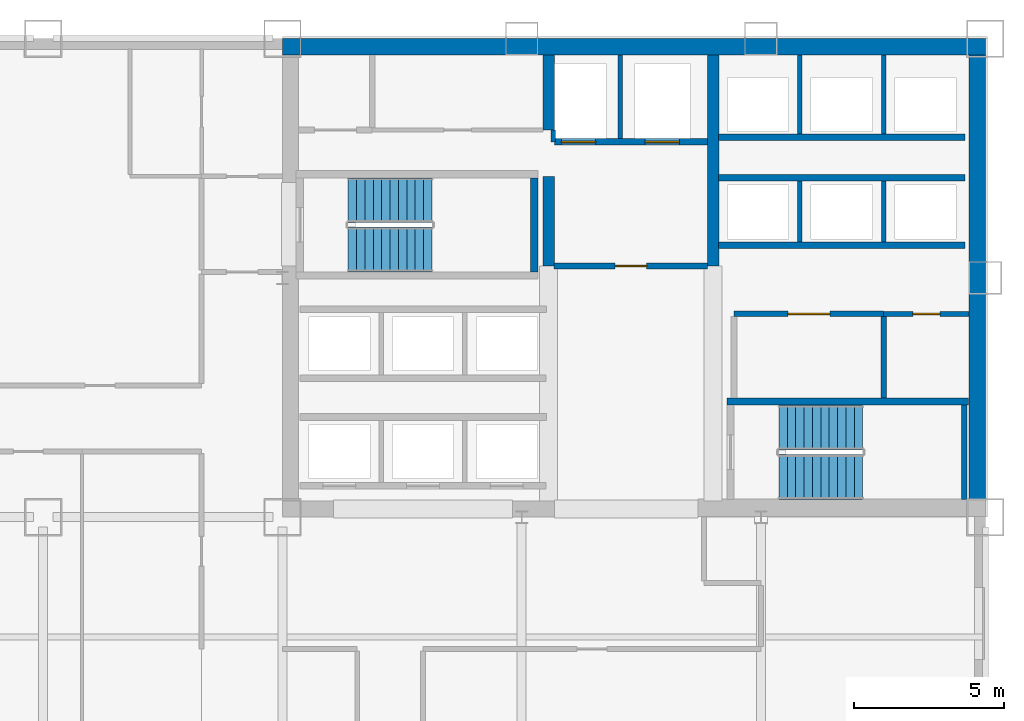
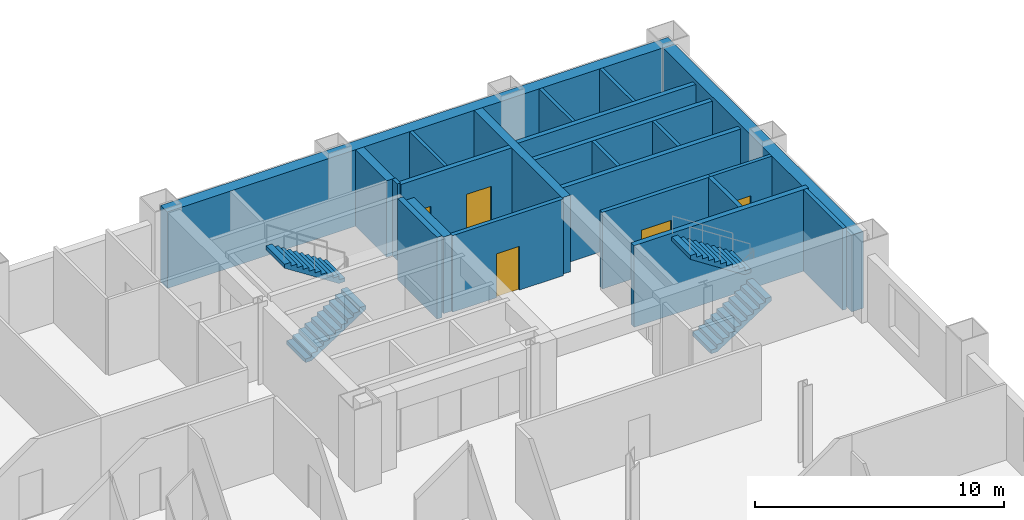
# One storey, part 7 of 9: 22 walls, 5 doors, 4 stair flights, 5 openings, 2 elements without a shape of their own.
"""IFC4 building model written with IfcOpenShell, lengths in metres."""

from ifc_helpers import new_model, si_unit, direction, frame, frame_2d, origin, place, context, subcontext, project, spatial, polyline, rectangle, outline, extrude, material, layer, layer_set, type_object, element, fill, aggregate, save


model = new_model("IFC4")

# Units and contexts
model_context = context("Model", 3, precision=1e-05, world=origin(), true_north=direction((0.0, 1.0)))
body_context = subcontext(model_context, "Body", "Model", "MODEL_VIEW")
ifc_project = project(units=[si_unit("LENGTHUNIT", "METRE"), si_unit("AREAUNIT", "SQUARE_METRE"), si_unit("VOLUMEUNIT", "CUBIC_METRE"), si_unit("PLANEANGLEUNIT", "RADIAN"), si_unit("MASSUNIT", "GRAM", prefix="KILO")], contexts=[model_context])

# Site, building, storey
site_placement = place(None, origin())
site = spatial("IfcSite", under=ifc_project, at=site_placement, CompositionType="ELEMENT")
building_placement = place(site_placement, origin())
building = spatial("IfcBuilding", under=site, at=building_placement, Name="Qianrong Seaharbour Tower", CompositionType="ELEMENT")
storey_placement = place(building_placement, frame((0.0, 0.0, 96.199951171875)))
storey = spatial("IfcBuildingStorey", under=building, at=storey_placement, Name="L23", CompositionType="ELEMENT", Elevation=96.199951171875)

# Walls
ifc_material_1 = material(Name="Concrete C70/85", Category="concrete")
ifc_layer_1 = layer(ifc_material_1, 0.5400390625)
ifc_layer_set_1 = layer_set([ifc_layer_1], Name="Concrete C70/85")
wall_type_1 = type_object("IfcWallType", Name="WALL-CORE-540", PredefinedType="SHEAR", material=ifc_layer_set_1)
wall_1_placement = place(storey_placement, frame((40.5, 51.72998046875, 0.0), z_axis=(0.0, 0.0, 1.0), x_axis=(1.0, 0.0, 0.0)))
element("IfcWall", 1, at=wall_1_placement, inside=storey, type_object=wall_type_1, Name="L23 North Core Shear Wall", PredefinedType="SHEAR", context=body_context, shape_type="SweptSolid", body=[
    extrude(rectangle(XDim=23.5, YDim=0.5400390625, at=frame_2d((11.75, 0.0))), origin(), (0.0, 0.0, 1.0), 3.75),
])
wall_2_placement = place(storey_placement, frame((63.72998046875, 36.320068359375, 0.0), z_axis=(0.0, 0.0, 1.0), x_axis=(0.0, 1.0, 0.0)))
element("IfcWall", 2, at=wall_2_placement, inside=storey, type_object=wall_type_1, Name="L23 East Core Shear Wall", PredefinedType="SHEAR", context=body_context, shape_type="SweptSolid", body=[
    extrude(rectangle(XDim=15.139892578125, YDim=0.5400390625, at=frame_2d((7.56982421875, 0.0))), origin(), (0.0, 0.0, 1.0), 3.75),
])
ifc_material_2 = material(Name="Concrete C60/75", Category="concrete")
ifc_layer_2 = layer(ifc_material_2, 0.3798828125)
ifc_layer_set_2 = layer_set([ifc_layer_2], Name="Concrete C60/75")
wall_type_2 = type_object("IfcWallType", Name="WALL-CORE-INT-380", PredefinedType="SHEAR", material=ifc_layer_set_2)
wall_3_placement = place(storey_placement, frame((49.39990234375, 44.39990234375, 0.0), z_axis=(0.0, 0.0, 1.0), x_axis=(0.0, 1.0, 0.0)))
element("IfcWall", 3, at=wall_3_placement, inside=storey, type_object=wall_type_2, Name="L23 Internal Core Shear Wall IW1N1", PredefinedType="SHEAR", context=body_context, shape_type="SweptSolid", body=[
    extrude(rectangle(XDim=3.0, YDim=0.3798828125, at=frame_2d((1.5, 0.0))), origin(), (0.0, 0.0, 1.0), 3.75),
])
wall_4_placement = place(storey_placement, frame((49.39990234375, 48.949951171875, 0.0), z_axis=(0.0, 0.0, 1.0), x_axis=(0.0, 1.0, 0.0)))
element("IfcWall", 4, at=wall_4_placement, inside=storey, type_object=wall_type_2, Name="L23 Internal Core Shear Wall IW1N2", PredefinedType="SHEAR", context=body_context, shape_type="SweptSolid", body=[
    extrude(rectangle(XDim=2.510009765625, YDim=0.3798828125, at=frame_2d((1.2548828125, 0.0))), origin(), (0.0, 0.0, 1.0), 3.75),
])
wall_5_placement = place(storey_placement, frame((54.89990234375, 44.39990234375, 0.0), z_axis=(0.0, 0.0, 1.0), x_axis=(0.0, 1.0, 0.0)))
element("IfcWall", 5, at=wall_5_placement, inside=storey, type_object=wall_type_2, Name="L23 Internal Core Shear Wall IW2N", PredefinedType="SHEAR", context=body_context, shape_type="SweptSolid", body=[
    extrude(rectangle(XDim=7.06005859375, YDim=0.3798828125, at=frame_2d((3.530029296875, 0.0))), origin(), (0.0, 0.0, 1.0), 3.75),
])

# Wall, opening, door
ifc_material_3 = material(Name="Fire-rated acoustic gypsum board partition")
ifc_layer_3 = layer(ifc_material_3, 0.1650390625)
ifc_layer_set_3 = layer_set([ifc_layer_3], Name="Fire-rated acoustic gypsum board partition")
wall_type_3 = type_object("IfcWallType", Name="WALL-CORR-PART-165", PredefinedType="PARTITIONING", material=ifc_layer_set_3)
wall_6_placement = place(storey_placement, frame((63.4599609375, 42.800048828125, 0.0), z_axis=(0.0, 0.0, 1.0), x_axis=(-1.0, 0.0, 0.0)))
wall_6 = element("IfcWall", 6, at=wall_6_placement, inside=storey, type_object=wall_type_3, Name="L23 Interior Partition Wall 012", PredefinedType="PARTITIONING", context=body_context, shape_type="SweptSolid", body=[
    extrude(rectangle(XDim=2.85986328125, YDim=0.1650390625, at=frame_2d((1.429931640625, 0.0))), origin(), (0.0, 0.0, 1.0), 3.75),
])
opening_1_placement = place(wall_6_placement, frame((0.97998046875, 0.0, 0.0)))
opening_1 = element("IfcOpeningElement", 7, at=opening_1_placement, cuts=wall_6, Name="Opening DS-01", PredefinedType="OPENING", context=body_context, shape_type="SweptSolid", body=[
    extrude(rectangle(XDim=0.89990234375, YDim=2.14990234375, at=frame_2d((0.449951171875, 1.074951171875))), frame((0.0, 0.092529296875, 0.0), z_axis=(0.0, -1.0, 0.0), x_axis=(1.0, 0.0, 0.0)), (0.0, 0.0, 1.0), 0.18505859375),
])
ifc_material_4 = material(Name="Acoustic timber and galvanized steel fire door assembly", Category="steel")
door_type_1 = type_object("IfcDoorType", Name="DOOR-STORE-900x2150", OperationType="NOTDEFINED", PredefinedType="DOOR", material=ifc_material_4)
door_1_placement = place(opening_1_placement, origin())
door_1 = element("IfcDoor", 8, at=door_1_placement, inside=storey, type_object=door_type_1, Name="L23 Housekeeping Linen Store Door", OperationType="SINGLE_SWING_LEFT", OverallHeight=2.14990234375, OverallWidth=0.89990234375, PredefinedType="DOOR", context=body_context, shape_type="SweptSolid", body=[
    extrude(rectangle(XDim=0.89990234375, YDim=2.14990234375, at=frame_2d((0.449951171875, 1.074951171875))), frame((0.0, 0.02490234375, 0.0), z_axis=(0.0, -1.0, 0.0), x_axis=(1.0, 0.0, 0.0)), (0.0, 0.0, 1.0), 0.050048828125),
])
fill(opening_1, door_1)

ifc_material_5 = material(Name="Double fire-rated gypsum board acoustic partition")
ifc_layer_4 = layer(ifc_material_5, 0.18994140625)
ifc_layer_set_4 = layer_set([ifc_layer_4], Name="Double fire-rated gypsum board acoustic partition")
wall_type_4 = type_object("IfcWallType", Name="WALL-FIRE-PART-190", PredefinedType="PARTITIONING", material=ifc_layer_set_4)
wall_7_placement = place(storey_placement, frame((54.718017578125, 44.39990234375, 0.0), z_axis=(0.0, 0.0, 1.0), x_axis=(-1.0, 0.0, 0.0)))
wall_7 = element("IfcWall", 9, at=wall_7_placement, inside=storey, type_object=wall_type_4, Name="L23 Interior Partition Wall 009", PredefinedType="PARTITIONING", context=body_context, shape_type="SweptSolid", body=[
    extrude(rectangle(XDim=5.135986328125, YDim=0.18994140625, at=frame_2d((2.56787109375, 0.0))), origin(), (0.0, 0.0, 1.0), 3.75),
])
opening_2_placement = place(wall_7_placement, frame((2.04296875, 0.0, 0.0)))
opening_2 = element("IfcOpeningElement", 10, at=opening_2_placement, cuts=wall_7, Name="Opening DC-01", PredefinedType="OPENING", context=body_context, shape_type="SweptSolid", body=[
    extrude(rectangle(XDim=1.050048828125, YDim=2.14990234375, at=frame_2d((0.52490234375, 1.074951171875))), frame((0.0, 0.10498046875, 0.0), z_axis=(0.0, -1.0, 0.0), x_axis=(1.0, 0.0, 0.0)), (0.0, 0.0, 1.0), 0.2099609375),
])
door_type_2 = type_object("IfcDoorType", Name="DOOR-CORR-FD60-1050x2150", OperationType="NOTDEFINED", PredefinedType="DOOR", material=ifc_material_4)
door_2_placement = place(opening_2_placement, origin())
door_2 = element("IfcDoor", 11, at=door_2_placement, inside=storey, type_object=door_type_2, Name="L23 Firefighting Lift Lobby Door", OperationType="SINGLE_SWING_LEFT", OverallHeight=2.14990234375, OverallWidth=1.050048828125, PredefinedType="DOOR", context=body_context, shape_type="SweptSolid", body=[
    extrude(rectangle(XDim=1.050048828125, YDim=2.14990234375, at=frame_2d((0.52490234375, 1.074951171875))), frame((0.0, 0.02490234375, 0.0), z_axis=(0.0, -1.0, 0.0), x_axis=(1.0, 0.0, 0.0)), (0.0, 0.0, 1.0), 0.050048828125),
])
fill(opening_2, door_2)

wall_8_placement = place(storey_placement, frame((60.60009765625, 42.800048828125, 0.0), z_axis=(0.0, 0.0, 1.0), x_axis=(-1.0, 0.0, 0.0)))
wall_8 = element("IfcWall", 12, at=wall_8_placement, inside=storey, type_object=wall_type_4, Name="L23 Interior Partition Wall 011", PredefinedType="PARTITIONING", context=body_context, shape_type="SweptSolid", body=[
    extrude(rectangle(XDim=5.0, YDim=0.18994140625, at=frame_2d((2.5, 0.0))), origin(), (0.0, 0.0, 1.0), 3.75),
])
opening_3_placement = place(wall_8_placement, frame((1.800048828125, 0.0, 0.0)))
opening_3 = element("IfcOpeningElement", 13, at=opening_3_placement, cuts=wall_8, Name="Opening DP-01", PredefinedType="OPENING", context=body_context, shape_type="SweptSolid", body=[
    extrude(rectangle(XDim=1.39990234375, YDim=2.25, at=frame_2d((0.699951171875, 1.125))), frame((0.0, 0.10498046875, 0.0), z_axis=(0.0, -1.0, 0.0), x_axis=(1.0, 0.0, 0.0)), (0.0, 0.0, 1.0), 0.2099609375),
])
door_type_3 = type_object("IfcDoorType", Name="DOOR-PLANT-PAIR-1400x2250", OperationType="DOUBLE_DOOR_SINGLE_SWING", PredefinedType="DOOR", material=ifc_material_4)
door_3_placement = place(opening_3_placement, origin())
door_3 = element("IfcDoor", 14, at=door_3_placement, inside=storey, type_object=door_type_3, Name="L23 Submetering Switch Room Door", OperationType="DOUBLE_DOOR_SINGLE_SWING", OverallHeight=2.25, OverallWidth=1.39990234375, PredefinedType="DOOR", context=body_context, shape_type="SweptSolid", body=[
    extrude(rectangle(XDim=1.39990234375, YDim=2.25, at=frame_2d((0.699951171875, 1.125))), frame((0.0, 0.02490234375, 0.0), z_axis=(0.0, -1.0, 0.0), x_axis=(1.0, 0.0, 0.0)), (0.0, 0.0, 1.0), 0.050048828125),
])
fill(opening_3, door_3)

# Walls
wall_9_placement = place(storey_placement, frame((60.60009765625, 42.712890625, 0.0), z_axis=(0.0, 0.0, 1.0), x_axis=(0.0, -1.0, 0.0)))
element("IfcWall", 15, at=wall_9_placement, inside=storey, type_object=wall_type_4, Name="L23 Interior Partition Wall 014", PredefinedType="PARTITIONING", context=body_context, shape_type="SweptSolid", body=[
    extrude(rectangle(XDim=2.73095703125, YDim=0.18994140625, at=frame_2d((1.365478515625, 0.0))), origin(), (0.0, 0.0, 1.0), 3.75),
])
ifc_material_6 = material(Name="Fire-rated gypsum board on steel studs", Category="steel")
ifc_layer_5 = layer(ifc_material_6, 0.14990234375)
ifc_layer_set_5 = layer_set([ifc_layer_5], Name="Fire-rated gypsum board on steel studs")
wall_type_5 = type_object("IfcWallType", Name="WALL-SHAFT-DIV-150", PredefinedType="PARTITIONING", material=ifc_layer_set_5)
wall_10_placement = place(storey_placement, frame((51.800048828125, 48.669921875, 0.0), z_axis=(0.0, 0.0, 1.0), x_axis=(0.0, 1.0, 0.0)))
element("IfcWall", 16, at=wall_10_placement, inside=storey, type_object=wall_type_5, Name="L23 Firefighting Lift Shaft Divider Wall", PredefinedType="PARTITIONING", context=body_context, shape_type="SweptSolid", body=[
    extrude(rectangle(XDim=2.7900390625, YDim=0.14990234375, at=frame_2d((1.39501953125, 0.0))), origin(), (0.0, 0.0, 1.0), 3.75),
])
wall_11_placement = place(storey_placement, frame((49.550048828125, 48.550048828125, 0.0), z_axis=(0.0, 0.0, 1.0), x_axis=(0.0, 1.0, 0.0)))
element("IfcWall", 17, at=wall_11_placement, inside=storey, type_object=wall_type_5, Name="L23 Firefighting Lift Shaft West Return Wall", PredefinedType="PARTITIONING", context=body_context, shape_type="SweptSolid", body=[
    extrude(rectangle(XDim=0.39990234375, YDim=0.14990234375, at=frame_2d((0.199951171875, 0.0))), origin(), (0.0, 0.0, 1.0), 3.75),
])
for number, where, z_axis, x_axis, name in (
    (18, (57.800048828125, 45.2099609375, 0.0), (0.0, 0.0, 1.0), (0.0, 1.0, 0.0), "L23 P3 Lift Hoistway Divider 2"),
    (19, (60.60009765625, 45.2099609375, 0.0), (0.0, 0.0, 1.0), (0.0, 1.0, 0.0), "L23 P3 Lift Hoistway Divider 3"),
):
    element("IfcWall", number, at=place(storey_placement, frame(where, z_axis=z_axis, x_axis=x_axis)), inside=storey, type_object=wall_type_5, Name=name, PredefinedType="PARTITIONING", context=body_context, shape_type="SweptSolid", body=[
        extrude(rectangle(XDim=2.030029296875, YDim=0.14990234375, at=frame_2d((1.01513671875, 0.0))), origin(), (0.0, 0.0, 1.0), 3.75),
    ])
for number, where, z_axis, x_axis, name in (
    (20, (57.800048828125, 48.81005859375, 0.0), (0.0, 0.0, 1.0), (0.0, 1.0, 0.0), "L23 P4 Lift Hoistway Divider 2"),
    (21, (60.60009765625, 48.81005859375, 0.0), (0.0, 0.0, 1.0), (0.0, 1.0, 0.0), "L23 P4 Lift Hoistway Divider 3"),
):
    element("IfcWall", number, at=place(storey_placement, frame(where, z_axis=z_axis, x_axis=x_axis)), inside=storey, type_object=wall_type_5, Name=name, PredefinedType="PARTITIONING", context=body_context, shape_type="SweptSolid", body=[
        extrude(rectangle(XDim=2.64990234375, YDim=0.14990234375, at=frame_2d((1.324951171875, 0.0))), origin(), (0.0, 0.0, 1.0), 3.75),
    ])

# Wall, openings, doors
ifc_layer_6 = layer(ifc_material_6, 0.219970703125)
ifc_layer_set_6 = layer_set([ifc_layer_6], Name="Fire-rated gypsum board on steel studs")
wall_type_6 = type_object("IfcWallType", Name="WALL-SHAFT-GYP220", PredefinedType="PARTITIONING", material=ifc_layer_set_6)
wall_12_placement = place(storey_placement, frame((54.7099609375, 48.550048828125, 0.0), z_axis=(0.0, 0.0, 1.0), x_axis=(-1.0, 0.0, 0.0)))
wall_12 = element("IfcWall", 22, at=wall_12_placement, inside=storey, type_object=wall_type_6, Name="L23 Firefighting Lift Shaft Front Wall", PredefinedType="PARTITIONING", context=body_context, shape_type="SweptSolid", body=[
    extrude(rectangle(XDim=5.119873046875, YDim=0.219970703125, at=frame_2d((2.56005859375, 0.0))), origin(), (0.0, 0.0, 1.0), 3.75),
])
opening_4_placement = place(wall_12_placement, frame((3.735107421875, 0.0, 0.0)))
opening_4 = element("IfcOpeningElement", 23, at=opening_4_placement, cuts=wall_12, Name="Opening LD-01", PredefinedType="OPENING", context=body_context, shape_type="SweptSolid", body=[
    extrude(rectangle(XDim=1.14990234375, YDim=2.199951171875, at=frame_2d((0.574951171875, 1.10009765625))), frame((0.0, 0.1201171875, 0.0), z_axis=(0.0, -1.0, 0.0), x_axis=(1.0, 0.0, 0.0)), (0.0, 0.0, 1.0), 0.239990234375),
])
opening_5_placement = place(wall_12_placement, frame((0.93505859375, 0.0, 0.0)))
opening_5 = element("IfcOpeningElement", 24, at=opening_5_placement, cuts=wall_12, Name="Opening LD-01", PredefinedType="OPENING", context=body_context, shape_type="SweptSolid", body=[
    extrude(rectangle(XDim=1.14990234375, YDim=2.199951171875, at=frame_2d((0.574951171875, 1.10009765625))), frame((0.0, 0.1201171875, 0.0), z_axis=(0.0, -1.0, 0.0), x_axis=(1.0, 0.0, 0.0)), (0.0, 0.0, 1.0), 0.239990234375),
])
ifc_material_7 = material(Name="Stainless steel SUS316L bi-parting lift landing door", Category="steel")
door_type_4 = type_object("IfcDoorType", Name="DOOR-LIFT-FF-1150x2200", OperationType="DOUBLE_DOOR_SLIDING", PredefinedType="DOOR", material=ifc_material_7)
door_4_placement = place(opening_4_placement, origin())
door_4 = element("IfcDoor", 25, at=door_4_placement, inside=storey, type_object=door_type_4, Name="L23 FL-1 Firefighting Lift Landing Door", OperationType="DOUBLE_DOOR_SLIDING", OverallHeight=2.199951171875, OverallWidth=1.14990234375, PredefinedType="DOOR", context=body_context, shape_type="SweptSolid", body=[
    extrude(rectangle(XDim=1.14990234375, YDim=2.199951171875, at=frame_2d((0.574951171875, 1.10009765625))), frame((0.0, 0.02490234375, 0.0), z_axis=(0.0, -1.0, 0.0), x_axis=(1.0, 0.0, 0.0)), (0.0, 0.0, 1.0), 0.050048828125),
])
fill(opening_4, door_4)
door_5_placement = place(opening_5_placement, origin())
door_5 = element("IfcDoor", 26, at=door_5_placement, inside=storey, type_object=door_type_4, Name="L23 FL-2 Firefighting Lift Landing Door", OperationType="DOUBLE_DOOR_SLIDING", OverallHeight=2.199951171875, OverallWidth=1.14990234375, PredefinedType="DOOR", context=body_context, shape_type="SweptSolid", body=[
    extrude(rectangle(XDim=1.14990234375, YDim=2.199951171875, at=frame_2d((0.574951171875, 1.10009765625))), frame((0.0, 0.02490234375, 0.0), z_axis=(0.0, -1.0, 0.0), x_axis=(1.0, 0.0, 0.0)), (0.0, 0.0, 1.0), 0.050048828125),
])
fill(opening_5, door_5)

# Walls
for number, where, z_axis, x_axis, name in (
    (27, (63.320068359375, 45.10009765625, 0.0), (0.0, 0.0, 1.0), (-1.0, 0.0, 0.0), "L23 P3 Lift Hoistway Front Wall"),
    (28, (55.080078125, 47.35009765625, 0.0), (0.0, 0.0, 1.0), (1.0, 0.0, 0.0), "L23 P3 Lift Hoistway Back Wall"),
    (29, (63.320068359375, 48.699951171875, 0.0), (0.0, 0.0, 1.0), (-1.0, 0.0, 0.0), "L23 P4 Lift Hoistway Front Wall"),
):
    element("IfcWall", number, at=place(storey_placement, frame(where, z_axis=z_axis, x_axis=x_axis)), inside=storey, type_object=wall_type_6, Name=name, PredefinedType="PARTITIONING", context=body_context, shape_type="SweptSolid", body=[
        extrude(rectangle(XDim=8.239990234375, YDim=0.219970703125, at=frame_2d((4.1201171875, 0.0))), origin(), (0.0, 0.0, 1.0), 3.75),
    ])
ifc_material_8 = material(Name="Concrete C50/60", Category="concrete")
ifc_layer_7 = layer(ifc_material_8, 0.239990234375)
ifc_layer_set_7 = layer_set([ifc_layer_7], Name="Concrete C50/60")
wall_type_7 = type_object("IfcWallType", Name="WALL-SHAFT-RC240", PredefinedType="SOLIDWALL", material=ifc_layer_set_7)
wall_13_placement = place(storey_placement, frame((48.919921875, 44.199951171875, 0.0), z_axis=(0.0, 0.0, 1.0), x_axis=(0.0, 1.0, 0.0)))
element("IfcWall", 30, at=wall_13_placement, inside=storey, type_object=wall_type_7, Name="L23 ST-1 Structural Stair Core Wall E", PredefinedType="SOLIDWALL", context=body_context, shape_type="SweptSolid", body=[
    extrude(rectangle(XDim=3.150146484375, YDim=0.239990234375, at=frame_2d((1.5751953125, 0.0))), origin(), (0.0, 0.0, 1.0), 4.0),
])
wall_14_placement = place(storey_placement, frame((55.360107421875, 39.8701171875, 0.0), z_axis=(0.0, 0.0, 1.0), x_axis=(1.0, 0.0, 0.0)))
element("IfcWall", 31, at=wall_14_placement, inside=storey, type_object=wall_type_7, Name="L23 ST-2 Structural Stair Core Wall N", PredefinedType="SOLIDWALL", context=body_context, shape_type="SweptSolid", body=[
    extrude(rectangle(XDim=8.079833984375, YDim=0.239990234375, at=frame_2d((4.0400390625, 0.0))), origin(), (0.0, 0.0, 1.0), 4.0),
])
wall_15_placement = place(storey_placement, frame((63.2900390625, 36.60009765625, 0.0), z_axis=(0.0, 0.0, 1.0), x_axis=(0.0, 1.0, 0.0)))
element("IfcWall", 32, at=wall_15_placement, inside=storey, type_object=wall_type_7, Name="L23 ST-2 Structural Stair Core Wall E", PredefinedType="SOLIDWALL", context=body_context, shape_type="SweptSolid", body=[
    extrude(rectangle(XDim=3.14990234375, YDim=0.179931640625, at=frame_2d((1.574951171875, 0.0))), origin(), (0.0, 0.0, 1.0), 4.0),
])

# Stair, stair flights
stair_type = type_object("IfcStairType", Name="STAIR-DOGLEG-1500-R22", PredefinedType="HALF_TURN_STAIR", material=ifc_material_8)
stair_1_placement = place(storey_placement, origin())
stair_1 = element("IfcStair", 33, at=stair_1_placement, inside=storey, type_object=stair_type, Name="L23 Protected Escape Stair ST-1", PredefinedType="HALF_TURN_STAIR")
stair_flight_type = type_object("IfcStairFlightType", Name="FLIGHT-STR-1500-R22", PredefinedType="STRAIGHT", material=ifc_material_8)
stair_flight_1_placement = place(storey_placement, frame((42.699951171875, 44.949951171875, 0.0), z_axis=(0.0, 0.0, 1.0), x_axis=(1.0, 0.0, 0.0)))
stair_flight_1 = element("IfcStairFlight", 34, at=stair_flight_1_placement, type_object=stair_flight_type, Name="ST-1 flight 1", NumberOfRisers=11, NumberOfTreads=10, PredefinedType="STRAIGHT", RiserHeight=0.181818182, TreadLength=0.28, context=body_context, shape_type="SweptSolid", body=[
    extrude(outline(polyline([(0.0, 0.0), (0.0, 0.181884765625), (0.280029296875, 0.181884765625), (0.280029296875, 0.363525390625), (0.56005859375, 0.363525390625), (0.56005859375, 0.54541015625), (0.840087890625, 0.54541015625), (0.840087890625, 0.727294921875), (1.1201171875, 0.727294921875), (1.1201171875, 0.9091796875), (1.39990234375, 0.9091796875), (1.39990234375, 1.0908203125), (1.679931640625, 1.0908203125), (1.679931640625, 1.272705078125), (1.9599609375, 1.272705078125), (1.9599609375, 1.45458984375), (2.239990234375, 1.45458984375), (2.239990234375, 1.636474609375), (2.52001953125, 1.636474609375), (2.52001953125, 1.818115234375), (2.800048828125, 1.818115234375), (2.800048828125, 2.0), (2.800048828125, 1.62744140625), (0.293701171875, 0.0), (0.0, 0.0)])), frame((0.0, 0.75, 0.0), z_axis=(0.0, -1.0, 0.0), x_axis=(1.0, 0.0, 0.0)), (0.0, 0.0, 1.0), 1.5),
])
stair_flight_2_placement = place(storey_placement, frame((45.5, 46.60009765625, 2.0), z_axis=(0.0, 0.0, 1.0), x_axis=(-1.0, 0.0, 0.0)))
stair_flight_2 = element("IfcStairFlight", 35, at=stair_flight_2_placement, type_object=stair_flight_type, Name="ST-1 flight 2", NumberOfRisers=11, NumberOfTreads=10, PredefinedType="STRAIGHT", RiserHeight=0.181818182, TreadLength=0.28, context=body_context, shape_type="SweptSolid", body=[
    extrude(outline(polyline([(0.0, 0.0), (0.0, 0.181884765625), (0.280029296875, 0.181884765625), (0.280029296875, 0.363525390625), (0.56005859375, 0.363525390625), (0.56005859375, 0.54541015625), (0.840087890625, 0.54541015625), (0.840087890625, 0.727294921875), (1.1201171875, 0.727294921875), (1.1201171875, 0.9091796875), (1.39990234375, 0.9091796875), (1.39990234375, 1.0908203125), (1.679931640625, 1.0908203125), (1.679931640625, 1.272705078125), (1.9599609375, 1.272705078125), (1.9599609375, 1.45458984375), (2.239990234375, 1.45458984375), (2.239990234375, 1.636474609375), (2.52001953125, 1.636474609375), (2.52001953125, 1.818115234375), (2.800048828125, 1.818115234375), (2.800048828125, 2.0), (2.800048828125, 1.62744140625), (0.293701171875, 0.0), (0.0, 0.0)])), frame((0.0, 0.75, 0.0), z_axis=(0.0, -1.0, 0.0), x_axis=(1.0, 0.0, 0.0)), (0.0, 0.0, 1.0), 1.5),
])
aggregate(stair_1, [stair_flight_1, stair_flight_2])

stair_2_placement = place(storey_placement, origin())
stair_2 = element("IfcStair", 36, at=stair_2_placement, inside=storey, type_object=stair_type, Name="L23 Protected Escape Stair ST-2", PredefinedType="HALF_TURN_STAIR")
stair_flight_3_placement = place(storey_placement, frame((57.10009765625, 37.35009765625, 0.0), z_axis=(0.0, 0.0, 1.0), x_axis=(1.0, 0.0, 0.0)))
stair_flight_3 = element("IfcStairFlight", 37, at=stair_flight_3_placement, type_object=stair_flight_type, Name="ST-2 flight 1", NumberOfRisers=11, NumberOfTreads=10, PredefinedType="STRAIGHT", RiserHeight=0.181818182, TreadLength=0.28, context=body_context, shape_type="SweptSolid", body=[
    extrude(outline(polyline([(0.0, 0.0), (0.0, 0.181884765625), (0.280029296875, 0.181884765625), (0.280029296875, 0.363525390625), (0.56005859375, 0.363525390625), (0.56005859375, 0.54541015625), (0.840087890625, 0.54541015625), (0.840087890625, 0.727294921875), (1.1201171875, 0.727294921875), (1.1201171875, 0.9091796875), (1.39990234375, 0.9091796875), (1.39990234375, 1.0908203125), (1.679931640625, 1.0908203125), (1.679931640625, 1.272705078125), (1.9599609375, 1.272705078125), (1.9599609375, 1.45458984375), (2.239990234375, 1.45458984375), (2.239990234375, 1.636474609375), (2.52001953125, 1.636474609375), (2.52001953125, 1.818115234375), (2.800048828125, 1.818115234375), (2.800048828125, 2.0), (2.800048828125, 1.62744140625), (0.293701171875, 0.0), (0.0, 0.0)])), frame((0.0, 0.75, 0.0), z_axis=(0.0, -1.0, 0.0), x_axis=(1.0, 0.0, 0.0)), (0.0, 0.0, 1.0), 1.5),
])
stair_flight_4_placement = place(storey_placement, frame((59.89990234375, 39.0, 2.0), z_axis=(0.0, 0.0, 1.0), x_axis=(-1.0, 0.0, 0.0)))
stair_flight_4 = element("IfcStairFlight", 38, at=stair_flight_4_placement, type_object=stair_flight_type, Name="ST-2 flight 2", NumberOfRisers=11, NumberOfTreads=10, PredefinedType="STRAIGHT", RiserHeight=0.181818182, TreadLength=0.28, context=body_context, shape_type="SweptSolid", body=[
    extrude(outline(polyline([(0.0, 0.0), (0.0, 0.181884765625), (0.280029296875, 0.181884765625), (0.280029296875, 0.363525390625), (0.56005859375, 0.363525390625), (0.56005859375, 0.54541015625), (0.840087890625, 0.54541015625), (0.840087890625, 0.727294921875), (1.1201171875, 0.727294921875), (1.1201171875, 0.9091796875), (1.39990234375, 0.9091796875), (1.39990234375, 1.0908203125), (1.679931640625, 1.0908203125), (1.679931640625, 1.272705078125), (1.9599609375, 1.272705078125), (1.9599609375, 1.45458984375), (2.239990234375, 1.45458984375), (2.239990234375, 1.636474609375), (2.52001953125, 1.636474609375), (2.52001953125, 1.818115234375), (2.800048828125, 1.818115234375), (2.800048828125, 2.0), (2.800048828125, 1.62744140625), (0.293701171875, 0.0), (0.0, 0.0)])), frame((0.0, 0.75, 0.0), z_axis=(0.0, -1.0, 0.0), x_axis=(1.0, 0.0, 0.0)), (0.0, 0.0, 1.0), 1.5),
])
aggregate(stair_2, [stair_flight_3, stair_flight_4])

save(model, "model.ifc")
